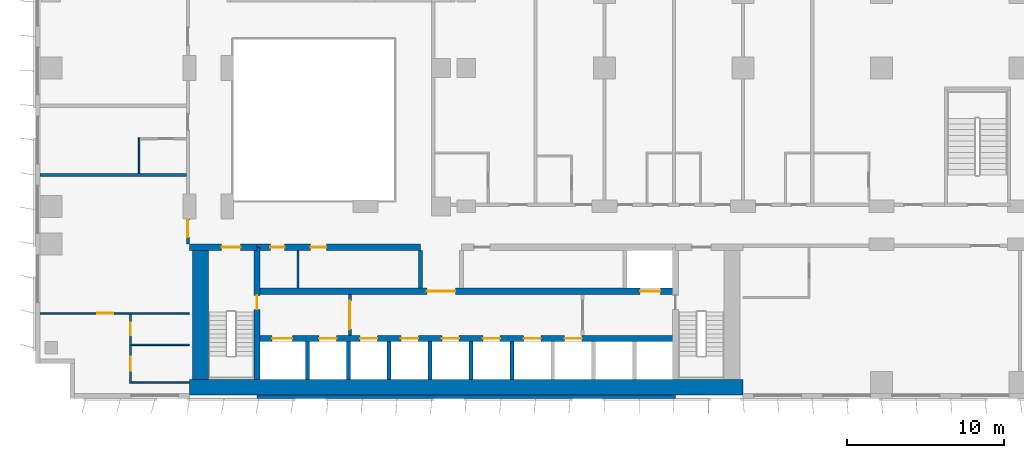
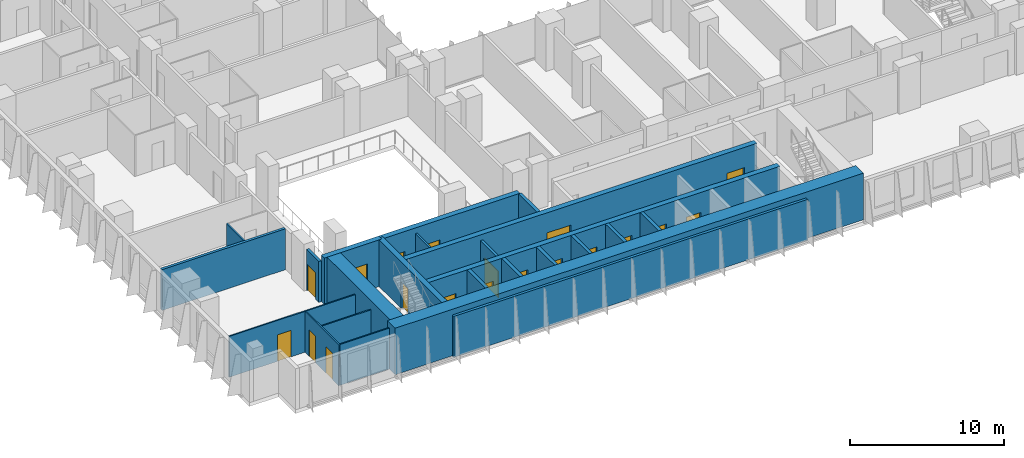
# One storey, part 12 of 23: 24 walls, 19 doors, 19 openings.
"""IFC4 building model written with IfcOpenShell, lengths in metres."""

import ifcopenshell
import ifcopenshell.guid

model = None  # the IFC model being written
_history = None  # IfcOwnerHistory: only IFC2X3 demands one
_inside = {}  # id of a spatial element -> (the spatial element, [elements in it])
_under = {}  # id of a project, library or spatial element -> (it, [spatial elements below it])
_declared = {}  # id of a project -> (the project, [libraries it declares])
_typed = {}  # id of a type object -> (the type object, [elements of that type])
_made_of = {}  # id of a material, layer set ... -> (it, [elements and type objects made of it])


def new_model(schema):
    """Start an empty IFC model of exactly this schema.

    Asked for "IFC4X3", IfcOpenShell would pick the latest addendum, in which some entities
    have other attributes; the version numbers below select the first issue.
    IFC2X3 requires an IfcOwnerHistory on every rooted entity: one is made here for all.
    """
    global model, _history
    if schema == "IFC4X3":
        model = ifcopenshell.file(schema_version=(4, 3, 0, 0))
    else:
        model = ifcopenshell.file(schema=schema)
    _inside.clear()
    _under.clear()
    _declared.clear()
    _typed.clear()
    _made_of.clear()
    _history = None
    if model.schema == "IFC2X3":
        org = make("IfcOrganization", Name="unknown")
        user = make(
            "IfcPersonAndOrganization",
            ThePerson=make("IfcPerson", FamilyName="unknown"),
            TheOrganization=org,
        )
        app = make(
            "IfcApplication",
            ApplicationDeveloper=org,
            Version="unknown",
            ApplicationFullName="unknown",
            ApplicationIdentifier="unknown",
        )
        _history = make(
            "IfcOwnerHistory",
            OwningUser=user,
            OwningApplication=app,
            ChangeAction="ADDED",
            CreationDate=0,
        )
    return model


def make(cls, **values):
    """One entity of the class cls with the attributes given. An attribute that is None is left unset."""
    return model.create_entity(
        cls, **{name: value for name, value in values.items() if value is not None}
    )


def rooted(cls, **values):
    """An entity with a GlobalId (a new one), such as an element, a storey or a relation."""
    return make(cls, GlobalId=ifcopenshell.guid.new(), OwnerHistory=_history, **values)


def si_unit(unit_type, name, prefix=None):
    """IfcSIUnit, for example si_unit("LENGTHUNIT", "METRE", prefix="MILLI")."""
    return make("IfcSIUnit", UnitType=unit_type, Prefix=prefix, Name=name)


def assignment(units):
    """IfcUnitAssignment: the units of a project."""
    return None if units is None else make("IfcUnitAssignment", Units=units)


def point(xyz):
    """IfcCartesianPoint."""
    return None if xyz is None else make("IfcCartesianPoint", Coordinates=xyz)


def direction(xyz):
    """IfcDirection."""
    return None if xyz is None else make("IfcDirection", DirectionRatios=xyz)


def frame(location, z_axis=None, x_axis=None):
    """IfcAxis2Placement3D, a coordinate frame: its origin and axes. An axis left out is left unset."""
    return make(
        "IfcAxis2Placement3D",
        Location=point(location),
        Axis=direction(z_axis),
        RefDirection=direction(x_axis),
    )


def frame_2d(location, x_axis=None):
    """IfcAxis2Placement2D, a coordinate frame in the plane: its origin and x axis."""
    return make(
        "IfcAxis2Placement2D", Location=point(location), RefDirection=direction(x_axis)
    )


def origin():
    """The frame at (0, 0, 0) with its axes left unset."""
    return frame((0.0, 0.0, 0.0))


def place(relative_to, where):
    """IfcLocalPlacement: puts the frame where relative to a parent placement (None: the world)."""
    return make(
        "IfcLocalPlacement", PlacementRelTo=relative_to, RelativePlacement=where
    )


def context(
    kind, dimensions, precision=None, world=None, true_north=None, identifier=None
):
    """IfcGeometricRepresentationContext, for example the 3D "Model" context."""
    return make(
        "IfcGeometricRepresentationContext",
        ContextIdentifier=identifier,
        ContextType=kind,
        CoordinateSpaceDimension=dimensions,
        Precision=precision,
        WorldCoordinateSystem=world,
        TrueNorth=true_north,
    )


def subcontext(parent, identifier, kind, view, scale=None):
    """IfcGeometricRepresentationSubContext, for example "Body" below "Model"."""
    return make(
        "IfcGeometricRepresentationSubContext",
        ContextIdentifier=identifier,
        ContextType=kind,
        ParentContext=parent,
        TargetScale=scale,
        TargetView=view,
    )


def project(units=None, contexts=None):
    """IfcProject with its units and contexts."""
    return rooted(
        "IfcProject",
        Name="project",
        RepresentationContexts=contexts,
        UnitsInContext=assignment(units),
    )


def spatial(cls, under=None, at=None, **own):
    """A site, building, storey or space (cls), placed at a placement, below another one or the project."""
    s = rooted(cls, ObjectPlacement=at, **own)
    if under is not None:
        _under.setdefault(under.id(), (under, []))[1].append(s)
    return s


def profile(cls, at=None, kind="AREA", **sizes):
    """A parametric profile (cls). Its sizes go by their IFC names, for example OverallWidth=200.0."""
    return make(cls, ProfileType=kind, Position=at, **sizes)


def rectangle(**sizes):
    """IfcRectangleProfileDef."""
    return profile("IfcRectangleProfileDef", **sizes)


def extrude(swept, where, along, depth):
    """IfcExtrudedAreaSolid: the profile swept, set in the frame where, extruded along a direction by depth."""
    return make(
        "IfcExtrudedAreaSolid",
        SweptArea=swept,
        Position=where,
        ExtrudedDirection=direction(along),
        Depth=depth,
    )


def shape(context_of_items, identifier, shape_type, items):
    """IfcShapeRepresentation: the items that make up one representation, for example the "Body"."""
    return make(
        "IfcShapeRepresentation",
        ContextOfItems=context_of_items,
        RepresentationIdentifier=identifier,
        RepresentationType=shape_type,
        Items=items,
    )


def material(Name=None, Category=None):
    """IfcMaterial."""
    return make("IfcMaterial", Name=Name, Category=Category)


def layer(
    of_material, thickness, ventilated=None, Name=None, Category=None, Priority=None
):
    """IfcMaterialLayer: one layer of a wall or slab, of a material (None: an air gap)."""
    return make(
        "IfcMaterialLayer",
        Material=of_material,
        LayerThickness=thickness,
        IsVentilated=ventilated,
        Name=Name,
        Category=Category,
        Priority=Priority,
    )


def layer_set(layers, Name=None):
    """IfcMaterialLayerSet."""
    return make("IfcMaterialLayerSet", MaterialLayers=layers, LayerSetName=Name)


def made_of(thing, what):
    """Note that an element or type object is made of a material, layer set ...; save() writes the relation."""
    if what is not None:
        _made_of.setdefault(what.id(), (what, []))[1].append(thing)
    return thing


def type_object(cls, material=None, **own):
    """A type object (cls), such as IfcWallType, which elements share."""
    return made_of(rooted(cls, **own), material)


def element(
    cls,
    number,
    at=None,
    inside=None,
    cuts=None,
    type_object=None,
    material=None,
    context=None,
    identifier="Body",
    shape_type=None,
    held_by="IfcProductDefinitionShape",
    body=None,
    shapes=None,
    **own,
):
    """One element of the class cls, such as IfcWall. Its Tag is "e" and its number.

    at: its placement. inside: the storey or other place that contains it. cuts: it is an
    opening in that element (IfcRelVoidsElement). A single representation is given by context,
    identifier, shape_type and body (its items); several are given by shapes. held_by: the class
    of the entity that holds the representations. save() writes the other relations.
    """
    e = rooted(cls, Tag="e%d" % number, ObjectPlacement=at, **own)
    if body is not None:
        shapes = [shape(context, identifier, shape_type, body)]
    if shapes is not None:
        e.Representation = make(held_by, Representations=shapes)
    if inside is not None:
        _inside.setdefault(inside.id(), (inside, []))[1].append(e)
    if cuts is not None:
        rooted(
            "IfcRelVoidsElement", RelatingBuildingElement=cuts, RelatedOpeningElement=e
        )
    if type_object is not None:
        _typed.setdefault(type_object.id(), (type_object, []))[1].append(e)
    return made_of(e, material)


def fill(opening, filler):
    """IfcRelFillsElement: the door or window that sits in an opening."""
    return rooted(
        "IfcRelFillsElement",
        RelatingOpeningElement=opening,
        RelatedBuildingElement=filler,
    )


def aggregate(whole, parts):
    """IfcRelAggregates: a whole, such as a stair, and the parts it consists of."""
    return rooted("IfcRelAggregates", RelatingObject=whole, RelatedObjects=parts)


def save(model, path):
    """Write the relations noted so far, then the file.

    IfcRelAggregates (storeys below a building ...), IfcRelContainedInSpatialStructure (elements
    in a storey), IfcRelDefinesByType, IfcRelAssociatesMaterial and IfcRelDeclares: one each for
    every whole, place, type object, material and project.
    """
    for whole, parts in _under.values():
        aggregate(whole, parts)
    for where, things in _inside.values():
        rooted(
            "IfcRelContainedInSpatialStructure",
            RelatedElements=things,
            RelatingStructure=where,
        )
    for kind, things in _typed.values():
        rooted("IfcRelDefinesByType", RelatedObjects=things, RelatingType=kind)
    for what, things in _made_of.values():
        rooted("IfcRelAssociatesMaterial", RelatedObjects=things, RelatingMaterial=what)
    for by, libraries in _declared.values():
        rooted("IfcRelDeclares", RelatingContext=by, RelatedDefinitions=libraries)
    model.write(path)


model = new_model("IFC4")

# Units and contexts
model_context = context("Model", 3, precision=1e-05, world=origin(), true_north=direction((0.0, 1.0)))
body_context = subcontext(model_context, "Body", "Model", "MODEL_VIEW")
ifc_project = project(units=[si_unit("LENGTHUNIT", "METRE"), si_unit("AREAUNIT", "SQUARE_METRE"), si_unit("VOLUMEUNIT", "CUBIC_METRE"), si_unit("PLANEANGLEUNIT", "RADIAN"), si_unit("MASSUNIT", "GRAM", prefix="KILO")], contexts=[model_context])

# Site, building, storey
site_placement = place(None, origin())
site = spatial("IfcSite", under=ifc_project, at=site_placement, CompositionType="ELEMENT")
building_placement = place(site_placement, origin())
building = spatial("IfcBuilding", under=site, at=building_placement, Name="Kemantara Hotel Tower", CompositionType="ELEMENT")
storey_placement = place(building_placement, frame((0.0, 0.0, 67.300048828125)))
storey = spatial("IfcBuildingStorey", under=building, at=storey_placement, Name="L15", CompositionType="ELEMENT", Elevation=67.300048828125)

# Walls
ifc_material_1 = material(Name="Bronze anodised aluminium cladding on insulated steel stud wall", Category="steel")
ifc_layer_1 = layer(ifc_material_1, 0.199951171875)
ifc_layer_set_1 = layer_set([ifc_layer_1], Name="Bronze anodised aluminium cladding on insulated steel stud wall")
wall_type_1 = type_object("IfcWallType", Name="BRONZE METAL-CLAD EXTERNAL WALL 200", PredefinedType="STANDARD", material=ifc_layer_set_1)
wall_1_placement = place(storey_placement, frame((14.10009765625, 0.10009765625, 0.0), z_axis=(0.0, 0.0, 1.0), x_axis=(1.0, 0.0, 0.0)))
element("IfcWall", 1, at=wall_1_placement, inside=storey, type_object=wall_type_1, Name="EXTERNAL WALL L15 T1-R01-2", PredefinedType="STANDARD", context=body_context, shape_type="SweptSolid", body=[
    extrude(rectangle(XDim=26.599853515625, YDim=0.199951171875, at=frame_2d((13.2998046875, 0.0))), origin(), (0.0, 0.0, 1.0), 3.25),
])
ifc_material_2 = material(Name="Concrete fc 70 MPa", Category="concrete")
ifc_layer_2 = layer(ifc_material_2, 1.0)
ifc_layer_set_2 = layer_set([ifc_layer_2], Name="Concrete fc 70 MPa")
wall_type_2 = type_object("IfcWallType", Name="CORE WALL 1000 FC70", PredefinedType="SHEAR", material=ifc_layer_set_2)
wall_2_placement = place(storey_placement, frame((9.800048828125, 0.699951171875, 0.0), z_axis=(0.0, 0.0, 1.0), x_axis=(1.0, 0.0, 0.0)))
element("IfcWall", 2, at=wall_2_placement, inside=storey, type_object=wall_type_2, Name="CORE WALL CW-S", PredefinedType="SHEAR", context=body_context, shape_type="SweptSolid", body=[
    extrude(rectangle(XDim=35.199951171875, YDim=1.0, at=frame_2d((17.60009765625, 0.0))), origin(), (0.0, 0.0, 1.0), 3.699951171875),
])
wall_3_placement = place(storey_placement, frame((10.5, 1.199951171875, 0.0), z_axis=(0.0, 0.0, 1.0), x_axis=(0.0, 1.0, 0.0)))
element("IfcWall", 3, at=wall_3_placement, inside=storey, type_object=wall_type_2, Name="CORE WALL CW-W", PredefinedType="SHEAR", context=body_context, shape_type="SweptSolid", body=[
    extrude(rectangle(XDim=8.60009765625, YDim=1.0, at=frame_2d((4.300048828125, 0.0))), origin(), (0.0, 0.0, 1.0), 3.699951171875),
])
ifc_layer_3 = layer(ifc_material_2, 0.25)
ifc_layer_set_3 = layer_set([ifc_layer_3], Name="Concrete fc 70 MPa")
wall_type_3 = type_object("IfcWallType", Name="CORE WALL 250 FC70", PredefinedType="SHEAR", material=ifc_layer_set_3)
for number, where, z_axis, x_axis, name in (
    (4, (17.300048828125, 1.199951171875, 0.0), (0.0, 0.0, 1.0), (0.0, 1.0, 0.0), "CORE WALL CW-DS17.3"),
    (5, (19.89990234375, 1.199951171875, 0.0), (0.0, 0.0, 1.0), (0.0, 1.0, 0.0), "CORE WALL CW-DS19.9"),
    (6, (22.5, 1.199951171875, 0.0), (0.0, 0.0, 1.0), (0.0, 1.0, 0.0), "CORE WALL CW-DS22.5"),
    (7, (25.10009765625, 1.199951171875, 0.0), (0.0, 0.0, 1.0), (0.0, 1.0, 0.0), "CORE WALL CW-DS25.1"),
    (8, (27.699951171875, 1.199951171875, 0.0), (0.0, 0.0, 1.0), (0.0, 1.0, 0.0), "CORE WALL CW-DS27.7"),
    (9, (30.300048828125, 1.199951171875, 0.0), (0.0, 0.0, 1.0), (0.0, 1.0, 0.0), "CORE WALL CW-DS30.3"),
):
    element("IfcWall", number, at=place(storey_placement, frame(where, z_axis=z_axis, x_axis=x_axis)), inside=storey, type_object=wall_type_3, Name=name, PredefinedType="SHEAR", context=body_context, shape_type="SweptSolid", body=[
        extrude(rectangle(XDim=2.400146484375, YDim=0.25, at=frame_2d((1.2001953125, 0.0))), origin(), (0.0, 0.0, 1.0), 3.699951171875),
    ])
wall_4_placement = place(storey_placement, frame((24.5, 7.0, 0.0), z_axis=(0.0, 0.0, 1.0), x_axis=(0.0, 1.0, 0.0)))
element("IfcWall", 10, at=wall_4_placement, inside=storey, type_object=wall_type_3, Name="CORE WALL CW-DN24.5", PredefinedType="SHEAR", context=body_context, shape_type="SweptSolid", body=[
    extrude(rectangle(XDim=2.39990234375, YDim=0.25, at=frame_2d((1.199951171875, 0.0))), origin(), (0.0, 0.0, 1.0), 3.699951171875),
])

# Wall, opening, door
ifc_layer_4 = layer(ifc_material_2, 0.39990234375)
ifc_layer_set_4 = layer_set([ifc_layer_4], Name="Concrete fc 70 MPa")
wall_type_4 = type_object("IfcWallType", Name="CORE WALL 400 FC70", PredefinedType="SHEAR", material=ifc_layer_set_4)
wall_5_placement = place(storey_placement, frame((9.800048828125, 9.60009765625, 0.0), z_axis=(0.0, 0.0, 1.0), x_axis=(1.0, 0.0, 0.0)))
wall_5 = element("IfcWall", 11, at=wall_5_placement, inside=storey, type_object=wall_type_4, Name="CORE WALL CW-N1", PredefinedType="SHEAR", context=body_context, shape_type="SweptSolid", body=[
    extrude(rectangle(XDim=4.300048828125, YDim=0.39990234375, at=frame_2d((2.14990234375, 0.0))), origin(), (0.0, 0.0, 1.0), 3.699951171875),
])
opening_1_placement = place(wall_5_placement, frame((2.050048828125, 0.0, 0.0)))
opening_1 = element("IfcOpeningElement", 12, at=opening_1_placement, cuts=wall_5, Name="Opening C11-ST1-C", PredefinedType="OPENING", context=body_context, shape_type="SweptSolid", body=[
    extrude(rectangle(XDim=1.199951171875, YDim=2.10009765625, at=frame_2d((0.60009765625, 1.050048828125))), frame((0.0, 0.2099609375, 0.0), z_axis=(0.0, -1.0, 0.0), x_axis=(1.0, 0.0, 0.0)), (0.0, 0.0, 1.0), 0.419921875),
])
ifc_material_3 = material(Name="Steel fire door", Category="steel")
door_type_1 = type_object("IfcDoorType", Name="Fire door FD90 1200 x 2100", OperationType="NOTDEFINED", PredefinedType="DOOR", material=ifc_material_3)
door_1_placement = place(opening_1_placement, frame((1.199951171875, 0.0, 0.0), z_axis=(0.0, 0.0, 1.0), x_axis=(-1.0, 0.0, 0.0)))
door_1 = element("IfcDoor", 13, at=door_1_placement, inside=storey, type_object=door_type_1, Name="Stair ST1 door to corridor", OperationType="SINGLE_SWING_LEFT", OverallHeight=2.10009765625, OverallWidth=1.199951171875, PredefinedType="DOOR", context=body_context, shape_type="SweptSolid", body=[
    extrude(rectangle(XDim=1.199951171875, YDim=2.10009765625, at=frame_2d((0.60009765625, 1.050048828125))), frame((0.0, 0.02490234375, 0.0), z_axis=(0.0, -1.0, 0.0), x_axis=(1.0, 0.0, 0.0)), (0.0, 0.0, 1.0), 0.050048828125),
])
fill(opening_1, door_1)

# Wall, openings, doors
wall_6_placement = place(storey_placement, frame((14.10009765625, 9.60009765625, 0.0), z_axis=(0.0, 0.0, 1.0), x_axis=(1.0, 0.0, 0.0)))
wall_6 = element("IfcWall", 14, at=wall_6_placement, inside=storey, type_object=wall_type_4, Name="CORE WALL CW-NN1", PredefinedType="SHEAR", context=body_context, shape_type="SweptSolid", body=[
    extrude(rectangle(XDim=10.39990234375, YDim=0.39990234375, at=frame_2d((5.199951171875, 0.0))), origin(), (0.0, 0.0, 1.0), 3.699951171875),
])
opening_2_placement = place(wall_6_placement, frame((0.85009765625, 0.0, 0.0)))
opening_2 = element("IfcOpeningElement", 15, at=opening_2_placement, cuts=wall_6, Name="Opening C11-R-NW1", PredefinedType="OPENING", context=body_context, shape_type="SweptSolid", body=[
    extrude(rectangle(XDim=0.89990234375, YDim=2.10009765625, at=frame_2d((0.449951171875, 1.050048828125))), frame((0.0, 0.2099609375, 0.0), z_axis=(0.0, -1.0, 0.0), x_axis=(1.0, 0.0, 0.0)), (0.0, 0.0, 1.0), 0.419921875),
])
opening_3_placement = place(wall_6_placement, frame((3.39990234375, 0.0, 0.0)))
opening_3 = element("IfcOpeningElement", 16, at=opening_3_placement, cuts=wall_6, Name="Opening C11-R-NW2", PredefinedType="OPENING", context=body_context, shape_type="SweptSolid", body=[
    extrude(rectangle(XDim=1.0, YDim=2.10009765625, at=frame_2d((0.5, 1.050048828125))), frame((0.0, 0.2099609375, 0.0), z_axis=(0.0, -1.0, 0.0), x_axis=(1.0, 0.0, 0.0)), (0.0, 0.0, 1.0), 0.419921875),
])
door_type_2 = type_object("IfcDoorType", Name="Fire door FD30S 1000 x 2100", OperationType="NOTDEFINED", PredefinedType="DOOR", material=ifc_material_3)
door_2_placement = place(opening_3_placement, frame((1.0, 0.0, 0.0), z_axis=(0.0, 0.0, 1.0), x_axis=(-1.0, 0.0, 0.0)))
door_2 = element("IfcDoor", 17, at=door_2_placement, inside=storey, type_object=door_type_2, Name="Housekeeping Store door", OperationType="SINGLE_SWING_RIGHT", OverallHeight=2.10009765625, OverallWidth=1.0, PredefinedType="DOOR", context=body_context, shape_type="SweptSolid", body=[
    extrude(rectangle(XDim=1.0, YDim=2.10009765625, at=frame_2d((0.5, 1.050048828125))), frame((0.0, 0.02490234375, 0.0), z_axis=(0.0, -1.0, 0.0), x_axis=(1.0, 0.0, 0.0)), (0.0, 0.0, 1.0), 0.050048828125),
])
fill(opening_3, door_2)
door_type_3 = type_object("IfcDoorType", Name="Fire door FD30S 900 x 2100", OperationType="NOTDEFINED", PredefinedType="DOOR", material=ifc_material_3)
door_3_placement = place(opening_2_placement, frame((0.89990234375, 0.0, 0.0), z_axis=(0.0, 0.0, 1.0), x_axis=(-1.0, 0.0, 0.0)))
door_3 = element("IfcDoor", 18, at=door_3_placement, inside=storey, type_object=door_type_3, Name="Staff Wc door", OperationType="SINGLE_SWING_RIGHT", OverallHeight=2.10009765625, OverallWidth=0.89990234375, PredefinedType="DOOR", context=body_context, shape_type="SweptSolid", body=[
    extrude(rectangle(XDim=0.89990234375, YDim=2.10009765625, at=frame_2d((0.449951171875, 1.050048828125))), frame((0.0, 0.02490234375, 0.0), z_axis=(0.0, -1.0, 0.0), x_axis=(1.0, 0.0, 0.0)), (0.0, 0.0, 1.0), 0.050048828125),
])
fill(opening_2, door_3)

wall_7_placement = place(storey_placement, frame((14.10009765625, 3.800048828125, 0.0), z_axis=(0.0, 0.0, 1.0), x_axis=(1.0, 0.0, 0.0)))
wall_7 = element("IfcWall", 19, at=wall_7_placement, inside=storey, type_object=wall_type_4, Name="CORE WALL CW-L1", PredefinedType="SHEAR", context=body_context, shape_type="SweptSolid", body=[
    extrude(rectangle(XDim=26.599853515625, YDim=0.39990234375, at=frame_2d((13.2998046875, 0.0))), origin(), (0.0, 0.0, 1.0), 3.699951171875),
])
opening_4_placement = place(wall_7_placement, frame((0.949951171875, 0.0, 0.0)))
opening_4 = element("IfcOpeningElement", 20, at=opening_4_placement, cuts=wall_7, Name="Opening C11-LD-FF1", PredefinedType="OPENING", context=body_context, shape_type="SweptSolid", body=[
    extrude(rectangle(XDim=1.300048828125, YDim=2.10009765625, at=frame_2d((0.64990234375, 1.050048828125))), frame((0.0, 0.2099609375, 0.0), z_axis=(0.0, -1.0, 0.0), x_axis=(1.0, 0.0, 0.0)), (0.0, 0.0, 1.0), 0.419921875),
])
opening_5_placement = place(wall_7_placement, frame((3.949951171875, 0.0, 0.0)))
opening_5 = element("IfcOpeningElement", 21, at=opening_5_placement, cuts=wall_7, Name="Opening C11-LD-SV1", PredefinedType="OPENING", context=body_context, shape_type="SweptSolid", body=[
    extrude(rectangle(XDim=1.10009765625, YDim=2.10009765625, at=frame_2d((0.550048828125, 1.050048828125))), frame((0.0, 0.2099609375, 0.0), z_axis=(0.0, -1.0, 0.0), x_axis=(1.0, 0.0, 0.0)), (0.0, 0.0, 1.0), 0.419921875),
])
opening_6_placement = place(wall_7_placement, frame((6.550048828125, 0.0, 0.0)))
opening_6 = element("IfcOpeningElement", 22, at=opening_6_placement, cuts=wall_7, Name="Opening C11-LD-SV2", PredefinedType="OPENING", context=body_context, shape_type="SweptSolid", body=[
    extrude(rectangle(XDim=1.10009765625, YDim=2.10009765625, at=frame_2d((0.550048828125, 1.050048828125))), frame((0.0, 0.2099609375, 0.0), z_axis=(0.0, -1.0, 0.0), x_axis=(1.0, 0.0, 0.0)), (0.0, 0.0, 1.0), 0.419921875),
])
opening_7_placement = place(wall_7_placement, frame((9.14990234375, 0.0, 0.0)))
opening_7 = element("IfcOpeningElement", 23, at=opening_7_placement, cuts=wall_7, Name="Opening C11-LD-SV3", PredefinedType="OPENING", context=body_context, shape_type="SweptSolid", body=[
    extrude(rectangle(XDim=1.10009765625, YDim=2.10009765625, at=frame_2d((0.550048828125, 1.050048828125))), frame((0.0, 0.2099609375, 0.0), z_axis=(0.0, -1.0, 0.0), x_axis=(1.0, 0.0, 0.0)), (0.0, 0.0, 1.0), 0.419921875),
])
opening_8_placement = place(wall_7_placement, frame((11.75, 0.0, 0.0)))
opening_8 = element("IfcOpeningElement", 24, at=opening_8_placement, cuts=wall_7, Name="Opening C11-LD-LR1", PredefinedType="OPENING", context=body_context, shape_type="SweptSolid", body=[
    extrude(rectangle(XDim=1.10009765625, YDim=2.10009765625, at=frame_2d((0.550048828125, 1.050048828125))), frame((0.0, 0.2099609375, 0.0), z_axis=(0.0, -1.0, 0.0), x_axis=(1.0, 0.0, 0.0)), (0.0, 0.0, 1.0), 0.419921875),
])
opening_9_placement = place(wall_7_placement, frame((14.35009765625, 0.0, 0.0)))
opening_9 = element("IfcOpeningElement", 25, at=opening_9_placement, cuts=wall_7, Name="Opening C11-LD-LR2", PredefinedType="OPENING", context=body_context, shape_type="SweptSolid", body=[
    extrude(rectangle(XDim=1.10009765625, YDim=2.10009765625, at=frame_2d((0.550048828125, 1.050048828125))), frame((0.0, 0.2099609375, 0.0), z_axis=(0.0, -1.0, 0.0), x_axis=(1.0, 0.0, 0.0)), (0.0, 0.0, 1.0), 0.419921875),
])
opening_10_placement = place(wall_7_placement, frame((16.949951171875, 0.0, 0.0)))
opening_10 = element("IfcOpeningElement", 26, at=opening_10_placement, cuts=wall_7, Name="Opening C11-LD-LR3", PredefinedType="OPENING", context=body_context, shape_type="SweptSolid", body=[
    extrude(rectangle(XDim=1.10009765625, YDim=2.10009765625, at=frame_2d((0.550048828125, 1.050048828125))), frame((0.0, 0.2099609375, 0.0), z_axis=(0.0, -1.0, 0.0), x_axis=(1.0, 0.0, 0.0)), (0.0, 0.0, 1.0), 0.419921875),
])
opening_11_placement = place(wall_7_placement, frame((19.550048828125, 0.0, 0.0)))
opening_11 = element("IfcOpeningElement", 27, at=opening_11_placement, cuts=wall_7, Name="Opening C11-LD-LR4", PredefinedType="OPENING", context=body_context, shape_type="SweptSolid", body=[
    extrude(rectangle(XDim=1.10009765625, YDim=2.10009765625, at=frame_2d((0.550048828125, 1.050048828125))), frame((0.0, 0.2099609375, 0.0), z_axis=(0.0, -1.0, 0.0), x_axis=(1.0, 0.0, 0.0)), (0.0, 0.0, 1.0), 0.419921875),
])
ifc_material_4 = material(Name="Stainless steel lift door", Category="steel")
door_type_4 = type_object("IfcDoorType", Name="Lift landing door 1100 x 2100 FD60", OperationType="DOUBLE_DOOR_SLIDING", PredefinedType="DOOR", material=ifc_material_4)
door_4_placement = place(opening_5_placement, origin())
door_4 = element("IfcDoor", 28, at=door_4_placement, inside=storey, type_object=door_type_4, Name="Lift SV1 landing door", OperationType="DOUBLE_DOOR_SLIDING", OverallHeight=2.10009765625, OverallWidth=1.10009765625, PredefinedType="DOOR", context=body_context, shape_type="SweptSolid", body=[
    extrude(rectangle(XDim=1.10009765625, YDim=2.10009765625, at=frame_2d((0.550048828125, 1.050048828125))), frame((0.0, 0.02490234375, 0.0), z_axis=(0.0, -1.0, 0.0), x_axis=(1.0, 0.0, 0.0)), (0.0, 0.0, 1.0), 0.050048828125),
])
fill(opening_5, door_4)
door_5_placement = place(opening_6_placement, origin())
door_5 = element("IfcDoor", 29, at=door_5_placement, inside=storey, type_object=door_type_4, Name="Lift SV2 landing door", OperationType="DOUBLE_DOOR_SLIDING", OverallHeight=2.10009765625, OverallWidth=1.10009765625, PredefinedType="DOOR", context=body_context, shape_type="SweptSolid", body=[
    extrude(rectangle(XDim=1.10009765625, YDim=2.10009765625, at=frame_2d((0.550048828125, 1.050048828125))), frame((0.0, 0.02490234375, 0.0), z_axis=(0.0, -1.0, 0.0), x_axis=(1.0, 0.0, 0.0)), (0.0, 0.0, 1.0), 0.050048828125),
])
fill(opening_6, door_5)
door_6_placement = place(opening_7_placement, origin())
door_6 = element("IfcDoor", 30, at=door_6_placement, inside=storey, type_object=door_type_4, Name="Lift SV3 landing door", OperationType="DOUBLE_DOOR_SLIDING", OverallHeight=2.10009765625, OverallWidth=1.10009765625, PredefinedType="DOOR", context=body_context, shape_type="SweptSolid", body=[
    extrude(rectangle(XDim=1.10009765625, YDim=2.10009765625, at=frame_2d((0.550048828125, 1.050048828125))), frame((0.0, 0.02490234375, 0.0), z_axis=(0.0, -1.0, 0.0), x_axis=(1.0, 0.0, 0.0)), (0.0, 0.0, 1.0), 0.050048828125),
])
fill(opening_7, door_6)
door_7_placement = place(opening_8_placement, origin())
door_7 = element("IfcDoor", 31, at=door_7_placement, inside=storey, type_object=door_type_4, Name="Lift LR1 landing door", OperationType="DOUBLE_DOOR_SLIDING", OverallHeight=2.10009765625, OverallWidth=1.10009765625, PredefinedType="DOOR", context=body_context, shape_type="SweptSolid", body=[
    extrude(rectangle(XDim=1.10009765625, YDim=2.10009765625, at=frame_2d((0.550048828125, 1.050048828125))), frame((0.0, 0.02490234375, 0.0), z_axis=(0.0, -1.0, 0.0), x_axis=(1.0, 0.0, 0.0)), (0.0, 0.0, 1.0), 0.050048828125),
])
fill(opening_8, door_7)
door_8_placement = place(opening_9_placement, origin())
door_8 = element("IfcDoor", 32, at=door_8_placement, inside=storey, type_object=door_type_4, Name="Lift LR2 landing door", OperationType="DOUBLE_DOOR_SLIDING", OverallHeight=2.10009765625, OverallWidth=1.10009765625, PredefinedType="DOOR", context=body_context, shape_type="SweptSolid", body=[
    extrude(rectangle(XDim=1.10009765625, YDim=2.10009765625, at=frame_2d((0.550048828125, 1.050048828125))), frame((0.0, 0.02490234375, 0.0), z_axis=(0.0, -1.0, 0.0), x_axis=(1.0, 0.0, 0.0)), (0.0, 0.0, 1.0), 0.050048828125),
])
fill(opening_9, door_8)
door_9_placement = place(opening_10_placement, origin())
door_9 = element("IfcDoor", 33, at=door_9_placement, inside=storey, type_object=door_type_4, Name="Lift LR3 landing door", OperationType="DOUBLE_DOOR_SLIDING", OverallHeight=2.10009765625, OverallWidth=1.10009765625, PredefinedType="DOOR", context=body_context, shape_type="SweptSolid", body=[
    extrude(rectangle(XDim=1.10009765625, YDim=2.10009765625, at=frame_2d((0.550048828125, 1.050048828125))), frame((0.0, 0.02490234375, 0.0), z_axis=(0.0, -1.0, 0.0), x_axis=(1.0, 0.0, 0.0)), (0.0, 0.0, 1.0), 0.050048828125),
])
fill(opening_10, door_9)
door_10_placement = place(opening_11_placement, origin())
door_10 = element("IfcDoor", 34, at=door_10_placement, inside=storey, type_object=door_type_4, Name="Lift LR4 landing door", OperationType="DOUBLE_DOOR_SLIDING", OverallHeight=2.10009765625, OverallWidth=1.10009765625, PredefinedType="DOOR", context=body_context, shape_type="SweptSolid", body=[
    extrude(rectangle(XDim=1.10009765625, YDim=2.10009765625, at=frame_2d((0.550048828125, 1.050048828125))), frame((0.0, 0.02490234375, 0.0), z_axis=(0.0, -1.0, 0.0), x_axis=(1.0, 0.0, 0.0)), (0.0, 0.0, 1.0), 0.050048828125),
])
fill(opening_11, door_10)
door_type_5 = type_object("IfcDoorType", Name="Lift landing door 1300 x 2100 FD90", OperationType="DOUBLE_DOOR_SLIDING", PredefinedType="DOOR", material=ifc_material_4)
door_11_placement = place(opening_4_placement, origin())
door_11 = element("IfcDoor", 35, at=door_11_placement, inside=storey, type_object=door_type_5, Name="Lift FF1 landing door", OperationType="DOUBLE_DOOR_SLIDING", OverallHeight=2.10009765625, OverallWidth=1.300048828125, PredefinedType="DOOR", context=body_context, shape_type="SweptSolid", body=[
    extrude(rectangle(XDim=1.300048828125, YDim=2.10009765625, at=frame_2d((0.64990234375, 1.050048828125))), frame((0.0, 0.02490234375, 0.0), z_axis=(0.0, -1.0, 0.0), x_axis=(1.0, 0.0, 0.0)), (0.0, 0.0, 1.0), 0.050048828125),
])
fill(opening_4, door_11)

wall_8_placement = place(storey_placement, frame((14.10009765625, 6.800048828125, 0.0), z_axis=(0.0, 0.0, 1.0), x_axis=(1.0, 0.0, 0.0)))
wall_8 = element("IfcWall", 36, at=wall_8_placement, inside=storey, type_object=wall_type_4, Name="CORE WALL CW-L2", PredefinedType="SHEAR", context=body_context, shape_type="SweptSolid", body=[
    extrude(rectangle(XDim=26.599853515625, YDim=0.39990234375, at=frame_2d((13.2998046875, 0.0))), origin(), (0.0, 0.0, 1.0), 3.699951171875),
])
opening_12_placement = place(wall_8_placement, frame((10.800048828125, 0.0, 0.0)))
opening_12 = element("IfcOpeningElement", 37, at=opening_12_placement, cuts=wall_8, Name="Opening C11-VL", PredefinedType="OPENING", context=body_context, shape_type="SweptSolid", body=[
    extrude(rectangle(XDim=1.800048828125, YDim=2.10009765625, at=frame_2d((0.89990234375, 1.050048828125))), frame((0.0, 0.2099609375, 0.0), z_axis=(0.0, -1.0, 0.0), x_axis=(1.0, 0.0, 0.0)), (0.0, 0.0, 1.0), 0.419921875),
])
opening_13_placement = place(wall_8_placement, frame((24.35009765625, 0.0, 0.0)))
opening_13 = element("IfcOpeningElement", 38, at=opening_13_placement, cuts=wall_8, Name="Opening C11-LD-FF2", PredefinedType="OPENING", context=body_context, shape_type="SweptSolid", body=[
    extrude(rectangle(XDim=1.300048828125, YDim=2.10009765625, at=frame_2d((0.64990234375, 1.050048828125))), frame((0.0, 0.2099609375, 0.0), z_axis=(0.0, -1.0, 0.0), x_axis=(1.0, 0.0, 0.0)), (0.0, 0.0, 1.0), 0.419921875),
])
door_type_6 = type_object("IfcDoorType", Name="Fire door pair FD60 1800 x 2100", OperationType="DOUBLE_DOOR_SINGLE_SWING", PredefinedType="DOOR", material=ifc_material_3)
door_12_placement = place(opening_12_placement, frame((1.800048828125, 0.0, 0.0), z_axis=(0.0, 0.0, 1.0), x_axis=(-1.0, 0.0, 0.0)))
door_12 = element("IfcDoor", 39, at=door_12_placement, inside=storey, type_object=door_type_6, Name="Lift lobby entry door", OperationType="DOUBLE_DOOR_SINGLE_SWING", OverallHeight=2.10009765625, OverallWidth=1.800048828125, PredefinedType="DOOR", context=body_context, shape_type="SweptSolid", body=[
    extrude(rectangle(XDim=1.800048828125, YDim=2.10009765625, at=frame_2d((0.89990234375, 1.050048828125))), frame((0.0, 0.02490234375, 0.0), z_axis=(0.0, -1.0, 0.0), x_axis=(1.0, 0.0, 0.0)), (0.0, 0.0, 1.0), 0.050048828125),
])
fill(opening_12, door_12)
door_13_placement = place(opening_13_placement, origin())
door_13 = element("IfcDoor", 40, at=door_13_placement, inside=storey, type_object=door_type_5, Name="Lift FF2 landing door", OperationType="DOUBLE_DOOR_SLIDING", OverallHeight=2.10009765625, OverallWidth=1.300048828125, PredefinedType="DOOR", context=body_context, shape_type="SweptSolid", body=[
    extrude(rectangle(XDim=1.300048828125, YDim=2.10009765625, at=frame_2d((0.64990234375, 1.050048828125))), frame((0.0, 0.02490234375, 0.0), z_axis=(0.0, -1.0, 0.0), x_axis=(1.0, 0.0, 0.0)), (0.0, 0.0, 1.0), 0.050048828125),
])
fill(opening_13, door_13)

# Wall, opening, door
wall_9_placement = place(storey_placement, frame((14.10009765625, 1.199951171875, 0.0), z_axis=(0.0, 0.0, 1.0), x_axis=(0.0, 1.0, 0.0)))
wall_9 = element("IfcWall", 41, at=wall_9_placement, inside=storey, type_object=wall_type_4, Name="CORE WALL CW-ST1E", PredefinedType="SHEAR", context=body_context, shape_type="SweptSolid", body=[
    extrude(rectangle(XDim=8.400146484375, YDim=0.39990234375, at=frame_2d((4.2001953125, 0.0))), origin(), (0.0, 0.0, 1.0), 3.699951171875),
])
opening_14_placement = place(wall_9_placement, frame((4.449951171875, 0.0, 0.0)))
opening_14 = element("IfcOpeningElement", 42, at=opening_14_placement, cuts=wall_9, Name="Opening C11-ST1-F", PredefinedType="OPENING", context=body_context, shape_type="SweptSolid", body=[
    extrude(rectangle(XDim=0.89990234375, YDim=2.10009765625, at=frame_2d((0.449951171875, 1.050048828125))), frame((0.0, 0.2099609375, 0.0), z_axis=(0.0, -1.0, 0.0), x_axis=(1.0, 0.0, 0.0)), (0.0, 0.0, 1.0), 0.419921875),
])
door_type_7 = type_object("IfcDoorType", Name="Fire door FD90 900 x 2100", OperationType="NOTDEFINED", PredefinedType="DOOR", material=ifc_material_3)
door_14_placement = place(opening_14_placement, origin())
door_14 = element("IfcDoor", 43, at=door_14_placement, inside=storey, type_object=door_type_7, Name="Stair ST1 door to firefighting lobby", OperationType="SINGLE_SWING_RIGHT", OverallHeight=2.10009765625, OverallWidth=0.89990234375, PredefinedType="DOOR", context=body_context, shape_type="SweptSolid", body=[
    extrude(rectangle(XDim=0.89990234375, YDim=2.10009765625, at=frame_2d((0.449951171875, 1.050048828125))), frame((0.0, 0.02490234375, 0.0), z_axis=(0.0, -1.0, 0.0), x_axis=(1.0, 0.0, 0.0)), (0.0, 0.0, 1.0), 0.050048828125),
])
fill(opening_14, door_14)

ifc_material_5 = material(Name="Gypsum board partition, steel studs and mineral wool, 200 mm", Category="steel")
ifc_layer_5 = layer(ifc_material_5, 0.199951171875)
ifc_layer_set_5 = layer_set([ifc_layer_5], Name="Gypsum board partition, steel studs and mineral wool, 200 mm")
wall_type_5 = type_object("IfcWallType", Name="CORRIDOR WALL 200", PredefinedType="PARTITIONING", material=ifc_layer_set_5)
wall_10_placement = place(storey_placement, frame((9.699951171875, 9.800048828125, 0.0), z_axis=(0.0, 0.0, 1.0), x_axis=(0.0, 1.0, 0.0)))
wall_10 = element("IfcWall", 44, at=wall_10_placement, inside=storey, type_object=wall_type_5, Name="CORRIDOR WALL 200 026", PredefinedType="PARTITIONING", context=body_context, shape_type="SweptSolid", body=[
    extrude(rectangle(XDim=1.599853515625, YDim=0.199951171875, at=frame_2d((0.7998046875, 0.0))), origin(), (0.0, 0.0, 1.0), 3.25),
])
opening_15_placement = place(wall_10_placement, frame((0.449951171875, 0.0, 0.0)))
opening_15 = element("IfcOpeningElement", 45, at=opening_15_placement, cuts=wall_10, Name="Opening F05-027", PredefinedType="OPENING", context=body_context, shape_type="SweptSolid", body=[
    extrude(rectangle(XDim=1.10009765625, YDim=2.10009765625, at=frame_2d((0.550048828125, 1.050048828125))), frame((0.0, 0.10986328125, 0.0), z_axis=(0.0, -1.0, 0.0), x_axis=(1.0, 0.0, 0.0)), (0.0, 0.0, 1.0), 0.219970703125),
])
ifc_material_6 = material(Name="Hardwood veneer door leaf with steel frame", Category="steel")
door_type_8 = type_object("IfcDoorType", Name="SUITE ENTRANCE DOOR 1100 X 2100 FD30S", OperationType="NOTDEFINED", PredefinedType="DOOR", material=ifc_material_6)
door_15_placement = place(opening_15_placement, origin())
door_15 = element("IfcDoor", 46, at=door_15_placement, inside=storey, type_object=door_type_8, Name="SUITE ENTRANCE DOOR F05-027", OperationType="SINGLE_SWING_RIGHT", OverallHeight=2.10009765625, OverallWidth=1.10009765625, PredefinedType="DOOR", context=body_context, shape_type="SweptSolid", body=[
    extrude(rectangle(XDim=1.10009765625, YDim=2.10009765625, at=frame_2d((0.550048828125, 1.050048828125))), frame((0.0, 0.02490234375, 0.0), z_axis=(0.0, -1.0, 0.0), x_axis=(1.0, 0.0, 0.0)), (0.0, 0.0, 1.0), 0.050048828125),
])
fill(opening_15, door_15)

# Walls
ifc_layer_6 = layer(ifc_material_5, 0.199951171875)
ifc_layer_set_6 = layer_set([ifc_layer_6], Name="Gypsum board partition, steel studs and mineral wool, 200 mm")
wall_type_6 = type_object("IfcWallType", Name="GUEST ROOM PARTY WALL 200", PredefinedType="PARTITIONING", material=ifc_layer_set_6)
wall_11_placement = place(storey_placement, frame((0.31005859375, 14.199951171875, 0.0), z_axis=(0.0, 0.0, 1.0), x_axis=(1.0, 0.0, 0.0)))
element("IfcWall", 47, at=wall_11_placement, inside=storey, type_object=wall_type_6, Name="GUEST ROOM PARTY WALL 200 035", PredefinedType="PARTITIONING", context=body_context, shape_type="SweptSolid", body=[
    extrude(rectangle(XDim=9.2900390625, YDim=0.199951171875, at=frame_2d((4.64501953125, 0.0))), origin(), (0.0, 0.0, 1.0), 3.25),
])
ifc_material_7 = material(Name="Gypsum board partition")
ifc_layer_7 = layer(ifc_material_7, 0.14990234375)
ifc_layer_set_7 = layer_set([ifc_layer_7], Name="Gypsum board partition")
wall_type_7 = type_object("IfcWallType", Name="Gypsum board partition 150 mm", PredefinedType="PARTITIONING", material=ifc_layer_set_7)
wall_12_placement = place(storey_placement, frame((16.699951171875, 7.0, 0.0), z_axis=(0.0, 0.0, 1.0), x_axis=(0.0, 1.0, 0.0)))
element("IfcWall", 48, at=wall_12_placement, inside=storey, type_object=wall_type_7, Name="Core room partition", PredefinedType="PARTITIONING", context=body_context, shape_type="SweptSolid", body=[
    extrude(rectangle(XDim=2.39990234375, YDim=0.14990234375, at=frame_2d((1.199951171875, 0.0))), origin(), (0.0, 0.0, 1.0), 3.25),
])

# Wall, opening, door
ifc_material_8 = material(Name="Gypsum board shaft wall")
ifc_layer_8 = layer(ifc_material_8, 0.199951171875)
ifc_layer_set_8 = layer_set([ifc_layer_8], Name="Gypsum board shaft wall")
wall_type_8 = type_object("IfcWallType", Name="Gypsum board shaft wall 200 mm", PredefinedType="PARTITIONING", material=ifc_layer_set_8)
wall_13_placement = place(storey_placement, frame((20.0, 4.0, 0.0), z_axis=(0.0, 0.0, 1.0), x_axis=(0.0, 1.0, 0.0)))
wall_13 = element("IfcWall", 49, at=wall_13_placement, inside=storey, type_object=wall_type_8, Name="Firefighting lobby partition west", PredefinedType="PARTITIONING", context=body_context, shape_type="SweptSolid", body=[
    extrude(rectangle(XDim=2.60009765625, YDim=0.199951171875, at=frame_2d((1.300048828125, 0.0))), origin(), (0.0, 0.0, 1.0), 3.25),
])
opening_16_placement = place(wall_13_placement, frame((0.39990234375, 0.0, 0.0)))
opening_16 = element("IfcOpeningElement", 50, at=opening_16_placement, cuts=wall_13, Name="Opening C11-FFW", PredefinedType="OPENING", context=body_context, shape_type="SweptSolid", body=[
    extrude(rectangle(XDim=1.800048828125, YDim=2.10009765625, at=frame_2d((0.89990234375, 1.050048828125))), frame((0.0, 0.10986328125, 0.0), z_axis=(0.0, -1.0, 0.0), x_axis=(1.0, 0.0, 0.0)), (0.0, 0.0, 1.0), 0.219970703125),
])
door_16_placement = place(opening_16_placement, origin())
door_16 = element("IfcDoor", 51, at=door_16_placement, inside=storey, type_object=door_type_6, Name="Firefighting lobby door west", OperationType="DOUBLE_DOOR_SINGLE_SWING", OverallHeight=2.10009765625, OverallWidth=1.800048828125, PredefinedType="DOOR", context=body_context, shape_type="SweptSolid", body=[
    extrude(rectangle(XDim=1.800048828125, YDim=2.10009765625, at=frame_2d((0.89990234375, 1.050048828125))), frame((0.0, 0.02490234375, 0.0), z_axis=(0.0, -1.0, 0.0), x_axis=(1.0, 0.0, 0.0)), (0.0, 0.0, 1.0), 0.050048828125),
])
fill(opening_16, door_16)

# Wall, openings, doors
ifc_material_9 = material(Name="Gypsum board partition on steel studs, 100 mm", Category="steel")
ifc_layer_9 = layer(ifc_material_9, 0.10009765625)
ifc_layer_set_9 = layer_set([ifc_layer_9], Name="Gypsum board partition on steel studs, 100 mm")
wall_type_9 = type_object("IfcWallType", Name="ROOM PARTITION 100", PredefinedType="PARTITIONING", material=ifc_layer_set_9)
wall_14_placement = place(storey_placement, frame((6.050048828125, 5.35009765625, 0.0), z_axis=(0.0, 0.0, 1.0), x_axis=(0.0, -1.0, 0.0)))
wall_14 = element("IfcWall", 52, at=wall_14_placement, inside=storey, type_object=wall_type_9, Name="ROOM PARTITION 100 091", PredefinedType="PARTITIONING", context=body_context, shape_type="SweptSolid", body=[
    extrude(rectangle(XDim=4.400146484375, YDim=0.10009765625, at=frame_2d((2.2001953125, 0.0))), origin(), (0.0, 0.0, 1.0), 3.25),
])
opening_17_placement = place(wall_14_placement, frame((2.699951171875, 0.0, 0.0)))
opening_17 = element("IfcOpeningElement", 53, at=opening_17_placement, cuts=wall_14, Name="Opening F05-029", PredefinedType="OPENING", context=body_context, shape_type="SweptSolid", body=[
    extrude(rectangle(XDim=0.89990234375, YDim=2.10009765625, at=frame_2d((0.449951171875, 1.050048828125))), frame((0.0, 0.06005859375, 0.0), z_axis=(0.0, -1.0, 0.0), x_axis=(1.0, 0.0, 0.0)), (0.0, 0.0, 1.0), 0.1201171875),
])
opening_18_placement = place(wall_14_placement, frame((0.550048828125, 0.0, 0.0)))
opening_18 = element("IfcOpeningElement", 54, at=opening_18_placement, cuts=wall_14, Name="Opening F05-030", PredefinedType="OPENING", context=body_context, shape_type="SweptSolid", body=[
    extrude(rectangle(XDim=0.800048828125, YDim=2.10009765625, at=frame_2d((0.39990234375, 1.050048828125))), frame((0.0, 0.06005859375, 0.0), z_axis=(0.0, -1.0, 0.0), x_axis=(1.0, 0.0, 0.0)), (0.0, 0.0, 1.0), 0.1201171875),
])
door_type_9 = type_object("IfcDoorType", Name="BATHROOM DOOR 900 X 2100", OperationType="NOTDEFINED", PredefinedType="DOOR", material=ifc_material_6)
door_17_placement = place(opening_17_placement, origin())
door_17 = element("IfcDoor", 55, at=door_17_placement, inside=storey, type_object=door_type_9, Name="BATHROOM DOOR F05-029", OperationType="SINGLE_SWING_LEFT", OverallHeight=2.10009765625, OverallWidth=0.89990234375, PredefinedType="DOOR", context=body_context, shape_type="SweptSolid", body=[
    extrude(rectangle(XDim=0.89990234375, YDim=2.10009765625, at=frame_2d((0.449951171875, 1.050048828125))), frame((0.0, 0.02490234375, 0.0), z_axis=(0.0, -1.0, 0.0), x_axis=(1.0, 0.0, 0.0)), (0.0, 0.0, 1.0), 0.050048828125),
])
fill(opening_17, door_17)
door_type_10 = type_object("IfcDoorType", Name="WARDROBE DOOR 800 X 2100", OperationType="NOTDEFINED", PredefinedType="DOOR", material=ifc_material_6)
door_18_placement = place(opening_18_placement, origin())
door_18 = element("IfcDoor", 56, at=door_18_placement, inside=storey, type_object=door_type_10, Name="WARDROBE DOOR F05-030", OperationType="SINGLE_SWING_LEFT", OverallHeight=2.10009765625, OverallWidth=0.800048828125, PredefinedType="DOOR", context=body_context, shape_type="SweptSolid", body=[
    extrude(rectangle(XDim=0.800048828125, YDim=2.10009765625, at=frame_2d((0.39990234375, 1.050048828125))), frame((0.0, 0.02490234375, 0.0), z_axis=(0.0, -1.0, 0.0), x_axis=(1.0, 0.0, 0.0)), (0.0, 0.0, 1.0), 0.050048828125),
])
fill(opening_18, door_18)

# Wall, opening, door
wall_15_placement = place(storey_placement, frame((9.7998046875, 5.39990234375, 0.0), z_axis=(0.0, 0.0, 1.0), x_axis=(-1.0, 0.0, 0.0)))
wall_15 = element("IfcWall", 57, at=wall_15_placement, inside=storey, type_object=wall_type_9, Name="ROOM PARTITION 100 093", PredefinedType="PARTITIONING", context=body_context, shape_type="SweptSolid", body=[
    extrude(rectangle(XDim=9.48974609375, YDim=0.10009765625, at=frame_2d((4.744873046875, 0.0))), origin(), (0.0, 0.0, 1.0), 3.25),
])
opening_19_placement = place(wall_15_placement, frame((4.849853515625, 0.0, 0.0)))
opening_19 = element("IfcOpeningElement", 58, at=opening_19_placement, cuts=wall_15, Name="Opening F05-028", PredefinedType="OPENING", context=body_context, shape_type="SweptSolid", body=[
    extrude(rectangle(XDim=1.0, YDim=2.10009765625, at=frame_2d((0.5, 1.050048828125))), frame((0.0, 0.06005859375, 0.0), z_axis=(0.0, -1.0, 0.0), x_axis=(1.0, 0.0, 0.0)), (0.0, 0.0, 1.0), 0.1201171875),
])
door_type_11 = type_object("IfcDoorType", Name="INTERNAL DOOR 1000 X 2100", OperationType="NOTDEFINED", PredefinedType="DOOR", material=ifc_material_6)
door_19_placement = place(opening_19_placement, origin())
door_19 = element("IfcDoor", 59, at=door_19_placement, inside=storey, type_object=door_type_11, Name="INTERNAL DOOR F05-028", OperationType="SINGLE_SWING_LEFT", OverallHeight=2.10009765625, OverallWidth=1.0, PredefinedType="DOOR", context=body_context, shape_type="SweptSolid", body=[
    extrude(rectangle(XDim=1.0, YDim=2.10009765625, at=frame_2d((0.5, 1.050048828125))), frame((0.0, 0.02490234375, 0.0), z_axis=(0.0, -1.0, 0.0), x_axis=(1.0, 0.0, 0.0)), (0.0, 0.0, 1.0), 0.050048828125),
])
fill(opening_19, door_19)

# Walls
for number, where, z_axis, x_axis, name in (
    (60, (6.10009765625, 1.0, 0.0), (0.0, 0.0, 1.0), (1.0, 0.0, 0.0), "ROOM PARTITION 100 094"),
    (61, (6.10009765625, 3.39990234375, 0.0), (0.0, 0.0, 1.0), (1.0, 0.0, 0.0), "ROOM PARTITION 100 095"),
):
    element("IfcWall", number, at=place(storey_placement, frame(where, z_axis=z_axis, x_axis=x_axis)), inside=storey, type_object=wall_type_9, Name=name, PredefinedType="PARTITIONING", context=body_context, shape_type="SweptSolid", body=[
        extrude(rectangle(XDim=3.69970703125, YDim=0.10009765625, at=frame_2d((1.849853515625, 0.0))), origin(), (0.0, 0.0, 1.0), 3.25),
    ])
wall_16_placement = place(storey_placement, frame((6.60009765625, 14.300048828125, 0.0), z_axis=(0.0, 0.0, 1.0), x_axis=(0.0, 1.0, 0.0)))
element("IfcWall", 62, at=wall_16_placement, inside=storey, type_object=wall_type_9, Name="ROOM PARTITION 100 096", PredefinedType="PARTITIONING", context=body_context, shape_type="SweptSolid", body=[
    extrude(rectangle(XDim=2.25, YDim=0.10009765625, at=frame_2d((1.125, 0.0))), origin(), (0.0, 0.0, 1.0), 3.25),
])

save(model, "model.ifc")
